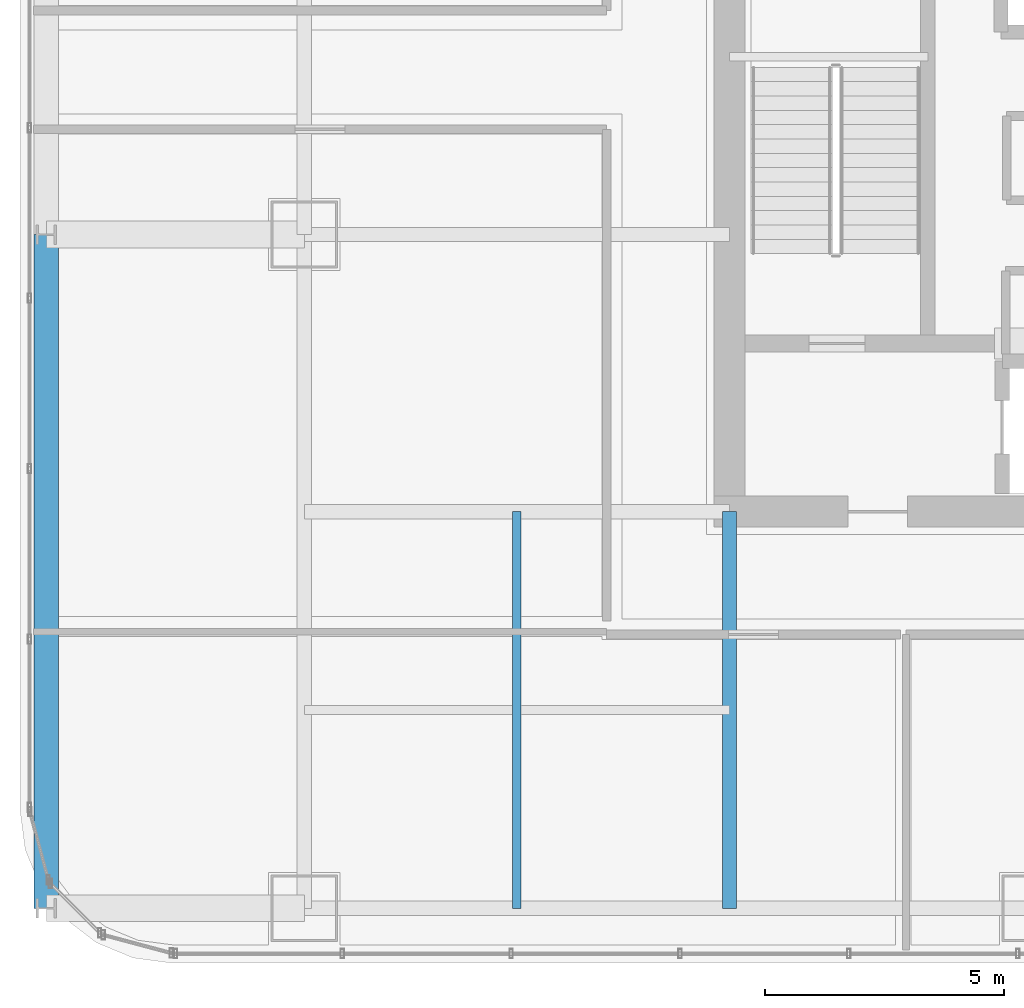
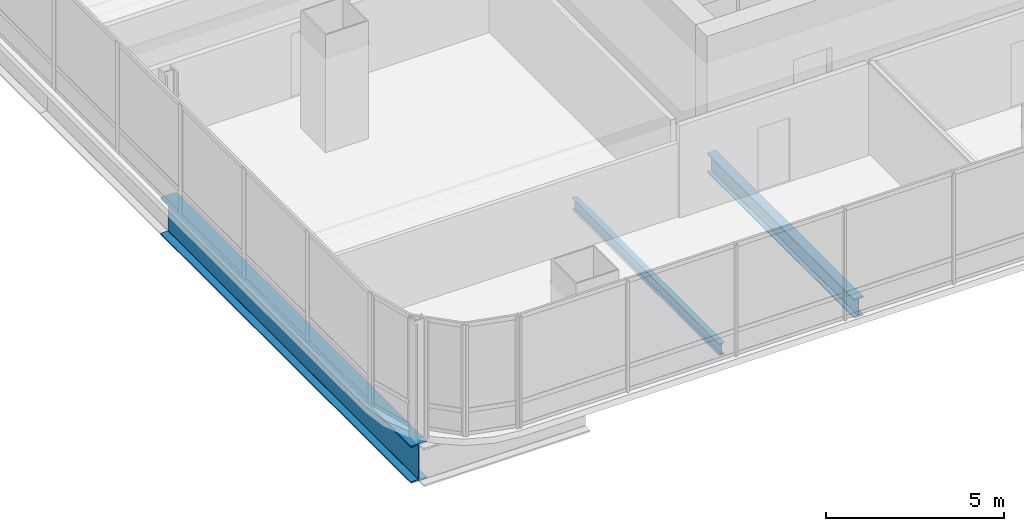
# One storey, part 4 of 37: 3 beams.
"""IFC4 building model written with IfcOpenShell, lengths in metres."""

from ifc_helpers import new_model, si_unit, direction, frame, origin, origin_2d, place, context, subcontext, project, spatial, i_section, extrude, material, material_profile, profile_set, type_object, element, save


model = new_model("IFC4")

# Units and contexts
model_context = context("Model", 3, precision=1e-05, world=origin(), true_north=direction((0.0, 1.0)))
body_context = subcontext(model_context, "Body", "Model", "MODEL_VIEW")
ifc_project = project(units=[si_unit("LENGTHUNIT", "METRE"), si_unit("AREAUNIT", "SQUARE_METRE"), si_unit("VOLUMEUNIT", "CUBIC_METRE"), si_unit("PLANEANGLEUNIT", "RADIAN"), si_unit("MASSUNIT", "GRAM", prefix="KILO")], contexts=[model_context])

# Site, building, storey
site_placement = place(None, origin())
site = spatial("IfcSite", under=ifc_project, at=site_placement, CompositionType="ELEMENT")
building_placement = place(site_placement, origin())
building = spatial("IfcBuilding", under=site, at=building_placement, Name="Punatoya Terracotta Tower", CompositionType="ELEMENT")
storey_placement = place(building_placement, frame((0.0, 0.0, 164.10009765625)))
storey = spatial("IfcBuildingStorey", under=building, at=storey_placement, Name="L38", CompositionType="ELEMENT", Elevation=164.10009765625)

# Beams
ifc_material_1 = material(Name="Steel S355", Category="steel")
ifc_material_profile_1 = material_profile(ifc_material_1, i_section(OverallWidth=0.300048828125, OverallDepth=0.64990234375, WebThickness=0.01611328125, FlangeThickness=0.031005859375, FilletRadius=0.01806640625, at=origin_2d()))
ifc_profile_set_1 = profile_set([ifc_material_profile_1], Name="Steel S355")
beam_type_1 = type_object("IfcBeamType", Name="BM-PRI-650", PredefinedType="BEAM", material=ifc_profile_set_1)
beam_1_placement = place(storey_placement, frame((-10.199951171875, -17.5, -0.545166015625), z_axis=(0.0, 1.0, 0.0), x_axis=(-1.0, 0.0, 0.0)))
element("IfcBeam", 1, at=beam_1_placement, inside=storey, type_object=beam_type_1, Name="BM-L38-PR-S1", PredefinedType="BEAM", context=body_context, shape_type="SweptSolid", body=[
    extrude(i_section(OverallWidth=0.300048828125, OverallDepth=0.64990234375, WebThickness=0.01611328125, FlangeThickness=0.031005859375, FilletRadius=0.01806640625, at=origin_2d()), origin(), (0.0, 0.0, 1.0), 8.300048828125),
])
ifc_material_profile_2 = material_profile(ifc_material_1, i_section(OverallWidth=0.179931640625, OverallDepth=0.39990234375, WebThickness=0.008544921875, FlangeThickness=0.013427734375, FilletRadius=0.01806640625, at=origin_2d()))
ifc_profile_set_2 = profile_set([ifc_material_profile_2], Name="Steel S355")
beam_type_2 = type_object("IfcBeamType", Name="BM-SEC-400", PredefinedType="JOIST", material=ifc_profile_set_2)
beam_2_placement = place(storey_placement, frame((-14.64990234375, -17.5, -0.420166015625), z_axis=(0.0, 1.0, 0.0), x_axis=(-1.0, 0.0, 0.0)))
element("IfcBeam", 2, at=beam_2_placement, inside=storey, type_object=beam_type_2, Name="BM-L38-SJW-1", PredefinedType="JOIST", context=body_context, shape_type="SweptSolid", body=[
    extrude(i_section(OverallWidth=0.179931640625, OverallDepth=0.39990234375, WebThickness=0.008544921875, FlangeThickness=0.013427734375, FilletRadius=0.01806640625, at=origin_2d()), origin(), (0.0, 0.0, 1.0), 8.300048828125),
])
ifc_material_2 = material(Name="Steel S460", Category="steel")
ifc_material_profile_3 = material_profile(ifc_material_2, i_section(OverallWidth=0.52001953125, OverallDepth=1.280029296875, WebThickness=0.031982421875, FlangeThickness=0.050048828125, FilletRadius=0.01806640625, at=origin_2d()))
ifc_profile_set_3 = profile_set([ifc_material_profile_3], Name="Steel S460")
beam_type_3 = type_object("IfcBeamType", Name="BM-TG-NCK", PredefinedType="BEAM", material=ifc_profile_set_3)
beam_3_placement = place(storey_placement, frame((-24.5, -17.5, -0.860107421875), z_axis=(0.0, 1.0, 0.0), x_axis=(-1.0, 0.0, 0.0)))
element("IfcBeam", 3, at=beam_3_placement, inside=storey, type_object=beam_type_3, Name="BM-L38-PER-W1", PredefinedType="BEAM", context=body_context, shape_type="SweptSolid", body=[
    extrude(i_section(OverallWidth=0.52001953125, OverallDepth=1.280029296875, WebThickness=0.031982421875, FlangeThickness=0.050048828125, FilletRadius=0.01806640625, at=origin_2d()), origin(), (0.0, 0.0, 1.0), 14.10009765625),
])

save(model, "model.ifc")
